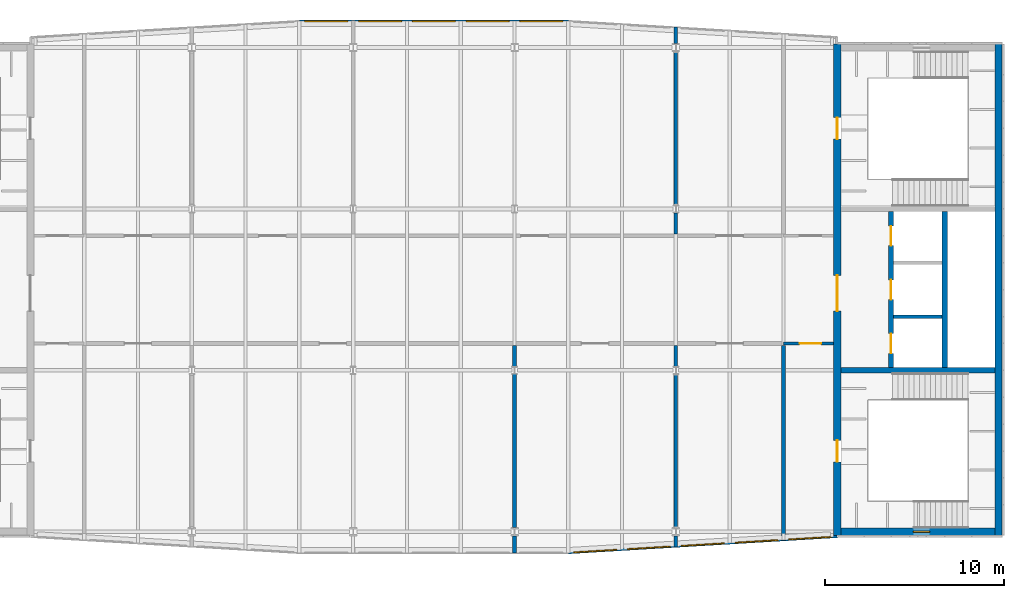
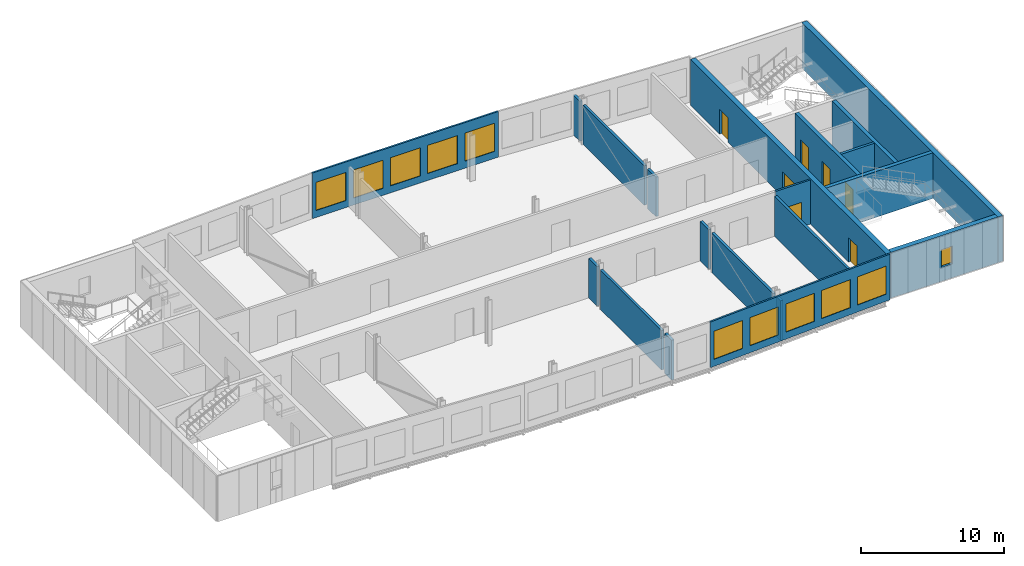
# One storey, part 5 of 9: 20 walls, 11 windows, 7 doors, 18 openings.
"""IFC4 building model written with IfcOpenShell, lengths in metres."""

from ifc_helpers import new_model, si_unit, direction, frame, frame_2d, origin, place, context, subcontext, project, spatial, rectangle, extrude, material, layer, layer_set, type_object, element, fill, save


model = new_model("IFC4")

# Units and contexts
model_context = context("Model", 3, precision=1e-05, world=origin(), true_north=direction((0.0, 1.0)))
body_context = subcontext(model_context, "Body", "Model", "MODEL_VIEW")
ifc_project = project(units=[si_unit("LENGTHUNIT", "METRE"), si_unit("AREAUNIT", "SQUARE_METRE"), si_unit("VOLUMEUNIT", "CUBIC_METRE"), si_unit("PLANEANGLEUNIT", "RADIAN"), si_unit("MASSUNIT", "GRAM", prefix="KILO")], contexts=[model_context])

# Site, building, storey
site_placement = place(None, origin())
site = spatial("IfcSite", under=ifc_project, at=site_placement, CompositionType="ELEMENT")
building_placement = place(site_placement, origin())
building = spatial("IfcBuilding", under=site, at=building_placement, Name="Azimuth Sports and Learning Centre", CompositionType="ELEMENT")
storey_placement = place(building_placement, frame((0.0, 0.0, 51.89990234375)))
storey = spatial("IfcBuildingStorey", under=building, at=storey_placement, Name="L11", CompositionType="ELEMENT", Elevation=51.89990234375)

# Wall
ifc_material_1 = material(Name="Dense masonry blockwork", Category="masonry")
ifc_layer_1 = layer(ifc_material_1, 0.199951171875)
ifc_layer_set_1 = layer_set([ifc_layer_1], Name="Dense masonry blockwork")
wall_type_1 = type_object("IfcWallType", Name="Blockwork wall 200 EI 120", PredefinedType="SOLIDWALL", material=ifc_layer_set_1)
wall_1_placement = place(storey_placement, frame((111.14990234375, 102.0, 0.0), z_axis=(0.0, 0.0, 1.0), x_axis=(1.0, 0.0, 0.0)))
element("IfcWall", 1, at=wall_1_placement, inside=storey, type_object=wall_type_1, Name="SD-E-1-L11", PredefinedType="SOLIDWALL", context=body_context, shape_type="SweptSolid", body=[
    extrude(rectangle(XDim=2.7001953125, YDim=0.199951171875, at=frame_2d((1.35009765625, 0.0))), origin(), (0.0, 0.0, 1.0), 3.900146484375),
])

# Wall, opening, door
ifc_material_2 = material(Name="Lightweight blockwork, rendered", Category="masonry")
ifc_layer_2 = layer(ifc_material_2, 0.14990234375)
ifc_layer_set_2 = layer_set([ifc_layer_2], Name="Lightweight blockwork, rendered")
wall_type_2 = type_object("IfcWallType", Name="Partition 150 EI 60", PredefinedType="PARTITIONING", material=ifc_layer_set_2)
wall_2_placement = place(storey_placement, frame((105.0, 100.5, 0.0), z_axis=(0.0, 0.0, 1.0), x_axis=(1.0, 0.0, 0.0)))
wall_2 = element("IfcWall", 2, at=wall_2_placement, inside=storey, type_object=wall_type_2, Name="Partition Stair Lobby E1 11.03 / Plant Corridor", PredefinedType="PARTITIONING", context=body_context, shape_type="SweptSolid", body=[
    extrude(rectangle(XDim=2.800048828125, YDim=0.14990234375, at=frame_2d((1.39990234375, 0.0))), origin(), (0.0, 0.0, 1.0), 3.77001953125),
])
opening_1_placement = place(wall_2_placement, frame((0.89990234375, 0.0, 0.0)))
opening_1 = element("IfcOpeningElement", 3, at=opening_1_placement, cuts=wall_2, Name="Opening D11-013", PredefinedType="OPENING", context=body_context, shape_type="SweptSolid", body=[
    extrude(rectangle(XDim=1.199951171875, YDim=2.10009765625, at=frame_2d((0.60009765625, 1.050048828125))), frame((0.0, 0.0859375, 0.0), z_axis=(0.0, -1.0, 0.0), x_axis=(1.0, 0.0, 0.0)), (0.0, 0.0, 1.0), 0.171875),
])
ifc_material_3 = material(Name="Painted steel door set", Category="steel")
door_type_1 = type_object("IfcDoorType", Name="Fire door FD60 1200 x 2100", OperationType="NOTDEFINED", PredefinedType="DOOR", material=ifc_material_3)
door_1_placement = place(opening_1_placement, frame((1.199951171875, 0.0, 0.0), z_axis=(0.0, 0.0, 1.0), x_axis=(-1.0, 0.0, 0.0)))
door_1 = element("IfcDoor", 4, at=door_1_placement, inside=storey, type_object=door_type_1, Name="Door Stair Lobby E1 11.03 / Plant Corridor", OperationType="SINGLE_SWING_LEFT", OverallHeight=2.10009765625, OverallWidth=1.199951171875, PredefinedType="DOOR", context=body_context, shape_type="SweptSolid", body=[
    extrude(rectangle(XDim=1.199951171875, YDim=2.10009765625, at=frame_2d((0.60009765625, 1.050048828125))), frame((0.0, 0.02490234375, 0.0), z_axis=(0.0, -1.0, 0.0), x_axis=(1.0, 0.0, 0.0)), (0.0, 0.0, 1.0), 0.050048828125),
])
fill(opening_1, door_1)

# Walls
ifc_material_4 = material(Name="Lightweight blockwork, rendered", Category="masonry")
ifc_layer_3 = layer(ifc_material_4, 0.199951171875)
ifc_layer_set_3 = layer_set([ifc_layer_3], Name="Lightweight blockwork, rendered")
wall_type_3 = type_object("IfcWallType", Name="Partition 200 EI 120", PredefinedType="PARTITIONING", material=ifc_layer_set_3)
wall_3_placement = place(storey_placement, frame((90.0, 88.800048828125, 0.0), z_axis=(0.0, 0.0, 1.0), x_axis=(0.0, 1.0, 0.0)))
element("IfcWall", 5, at=wall_3_placement, inside=storey, type_object=wall_type_3, Name="Partition Air Handling Plant Room 11.08 / Fire Protection Pump Room 11.09", PredefinedType="PARTITIONING", context=body_context, shape_type="SweptSolid", body=[
    extrude(rectangle(XDim=0.972412109375, YDim=0.199951171875, at=frame_2d((0.486328125, 0.0))), origin(), (0.0, 0.0, 1.0), 3.41015625),
])
wall_4_placement = place(storey_placement, frame((90.0, 90.2275390625, 0.0), z_axis=(0.0, 0.0, 1.0), x_axis=(0.0, 1.0, 0.0)))
element("IfcWall", 6, at=wall_4_placement, inside=storey, type_object=wall_type_3, Name="Partition Air Handling Plant Room 11.08 / Fire Protection Pump Room 11.09", PredefinedType="PARTITIONING", context=body_context, shape_type="SweptSolid", body=[
    extrude(rectangle(XDim=8.556396484375, YDim=0.199951171875, at=frame_2d((4.2783203125, 0.0))), origin(), (0.0, 0.0, 1.0), 3.3701171875),
])
wall_5_placement = place(storey_placement, frame((90.0, 99.216064453125, 0.0), z_axis=(0.0, 0.0, 1.0), x_axis=(0.0, 1.0, 0.0)))
element("IfcWall", 7, at=wall_5_placement, inside=storey, type_object=wall_type_3, Name="Partition Air Handling Plant Room 11.08 / Fire Protection Pump Room 11.09", PredefinedType="PARTITIONING", context=body_context, shape_type="SweptSolid", body=[
    extrude(rectangle(XDim=1.183837890625, YDim=0.199951171875, at=frame_2d((0.591796875, 0.0))), origin(), (0.0, 0.0, 1.0), 3.3701171875),
])
wall_6_placement = place(storey_placement, frame((99.0, 89.159912109375, 0.0), z_axis=(0.0, 0.0, 1.0), x_axis=(0.0, 1.0, 0.0)))
element("IfcWall", 8, at=wall_6_placement, inside=storey, type_object=wall_type_3, Name="Partition Fire Protection Pump Room 11.09 / Communications Room 11.10", PredefinedType="PARTITIONING", context=body_context, shape_type="SweptSolid", body=[
    extrude(rectangle(XDim=0.612548828125, YDim=0.199951171875, at=frame_2d((0.30615234375, 0.0))), origin(), (0.0, 0.0, 1.0), 3.41015625),
])
wall_7_placement = place(storey_placement, frame((99.0, 90.2275390625, 0.0), z_axis=(0.0, 0.0, 1.0), x_axis=(0.0, 1.0, 0.0)))
element("IfcWall", 9, at=wall_7_placement, inside=storey, type_object=wall_type_3, Name="Partition Fire Protection Pump Room 11.09 / Communications Room 11.10", PredefinedType="PARTITIONING", context=body_context, shape_type="SweptSolid", body=[
    extrude(rectangle(XDim=8.556396484375, YDim=0.199951171875, at=frame_2d((4.2783203125, 0.0))), origin(), (0.0, 0.0, 1.0), 3.3701171875),
])
for number, where, z_axis, x_axis, name in (
    (10, (99.0, 99.216064453125, 0.0), (0.0, 0.0, 1.0), (0.0, 1.0, 0.0), "Partition Fire Protection Pump Room 11.09 / Communications Room 11.10"),
    (11, (99.0, 106.60009765625, 0.0), (0.0, 0.0, 1.0), (0.0, 1.0, 0.0), "Partition Air Handling Plant Room 11.13 / Battery and UPS Room 11.14"),
):
    element("IfcWall", number, at=place(storey_placement, frame(where, z_axis=z_axis, x_axis=x_axis)), inside=storey, type_object=wall_type_3, Name=name, PredefinedType="PARTITIONING", context=body_context, shape_type="SweptSolid", body=[
        extrude(rectangle(XDim=1.183837890625, YDim=0.199951171875, at=frame_2d((0.591796875, 0.0))), origin(), (0.0, 0.0, 1.0), 3.3701171875),
    ])
wall_8_placement = place(storey_placement, frame((99.0, 108.216064453125, 0.0), z_axis=(0.0, 0.0, 1.0), x_axis=(0.0, 1.0, 0.0)))
element("IfcWall", 12, at=wall_8_placement, inside=storey, type_object=wall_type_3, Name="Partition Air Handling Plant Room 11.13 / Battery and UPS Room 11.14", PredefinedType="PARTITIONING", context=body_context, shape_type="SweptSolid", body=[
    extrude(rectangle(XDim=8.556396484375, YDim=0.199951171875, at=frame_2d((4.2783203125, 0.0))), origin(), (0.0, 0.0, 1.0), 3.3701171875),
])
wall_9_placement = place(storey_placement, frame((99.0, 117.2275390625, 0.0), z_axis=(0.0, 0.0, 1.0), x_axis=(0.0, 1.0, 0.0)))
element("IfcWall", 13, at=wall_9_placement, inside=storey, type_object=wall_type_3, Name="Partition Air Handling Plant Room 11.13 / Battery and UPS Room 11.14", PredefinedType="PARTITIONING", context=body_context, shape_type="SweptSolid", body=[
    extrude(rectangle(XDim=0.912353515625, YDim=0.199951171875, at=frame_2d((0.4560546875, 0.0))), origin(), (0.0, 0.0, 1.0), 3.41015625),
])
wall_10_placement = place(storey_placement, frame((105.0, 89.52001953125, 0.0), z_axis=(0.0, 0.0, 1.0), x_axis=(0.0, 1.0, 0.0)))
element("IfcWall", 14, at=wall_10_placement, inside=storey, type_object=wall_type_3, Name="Partition Stair Lobby E1 11.03 / Communications Room 11.10", PredefinedType="PARTITIONING", context=body_context, shape_type="SweptSolid", body=[
    extrude(rectangle(XDim=10.8798828125, YDim=0.199951171875, at=frame_2d((5.43994140625, 0.0))), origin(), (0.0, 0.0, 1.0), 3.41015625),
])

# Wall, openings, windows
ifc_material_5 = material(Name="Aluminium rainscreen cladding, mineral wool insulation, steel stud backing, plasterboard", Category="steel")
ifc_layer_4 = layer(ifc_material_5, 0.139892578125)
ifc_layer_set_4 = layer_set([ifc_layer_4], Name="Aluminium rainscreen cladding, mineral wool insulation, steel stud backing, plasterboard")
wall_type_4 = type_object("IfcWallType", Name="Plant band wall 140", PredefinedType="SOLIDWALL", material=ifc_layer_set_4)
wall_11_placement = place(storey_placement, frame((93.0, 88.830078125, 0.0), z_axis=(0.0, 0.0, 1.0), x_axis=(0.998204826037, 0.059892614536, 0.0)))
wall_11 = element("IfcWall", 15, at=wall_11_placement, inside=storey, type_object=wall_type_4, Name="Plant band wall S-TOWER-3 L11", PredefinedType="SOLIDWALL", context=body_context, shape_type="SweptSolid", body=[
    extrude(rectangle(XDim=15.025146484375, YDim=0.139892578125, at=frame_2d((7.5126953125, 0.0))), origin(), (0.0, 0.0, 1.0), 3.900146484375),
])
opening_2_placement = place(wall_11_placement, frame((0.30078125, 0.0, 0.60009765625)))
opening_2 = element("IfcOpeningElement", 16, at=opening_2_placement, cuts=wall_11, Name="Opening W11-012", PredefinedType="OPENING", context=body_context, shape_type="SweptSolid", body=[
    extrude(rectangle(XDim=2.39990234375, YDim=2.39990234375, at=frame_2d((1.199951171875, 1.199951171875))), frame((0.0, 0.0810546875, 0.0), z_axis=(0.0, -1.0, 0.0), x_axis=(1.0, 0.0, 0.0)), (0.0, 0.0, 1.0), 0.161865234375),
])
opening_3_placement = place(wall_11_placement, frame((3.306396484375, 0.0, 0.60009765625)))
opening_3 = element("IfcOpeningElement", 17, at=opening_3_placement, cuts=wall_11, Name="Opening W11-013", PredefinedType="OPENING", context=body_context, shape_type="SweptSolid", body=[
    extrude(rectangle(XDim=2.39990234375, YDim=2.39990234375, at=frame_2d((1.199951171875, 1.199951171875))), frame((0.0, 0.0810546875, 0.0), z_axis=(0.0, -1.0, 0.0), x_axis=(1.0, 0.0, 0.0)), (0.0, 0.0, 1.0), 0.161865234375),
])
opening_4_placement = place(wall_11_placement, frame((6.311767578125, 0.0, 0.60009765625)))
opening_4 = element("IfcOpeningElement", 18, at=opening_4_placement, cuts=wall_11, Name="Opening W11-014", PredefinedType="OPENING", context=body_context, shape_type="SweptSolid", body=[
    extrude(rectangle(XDim=2.39990234375, YDim=2.39990234375, at=frame_2d((1.199951171875, 1.199951171875))), frame((0.0, 0.0810546875, 0.0), z_axis=(0.0, -1.0, 0.0), x_axis=(1.0, 0.0, 0.0)), (0.0, 0.0, 1.0), 0.161865234375),
])
opening_5_placement = place(wall_11_placement, frame((9.317138671875, 0.0, 0.60009765625)))
opening_5 = element("IfcOpeningElement", 19, at=opening_5_placement, cuts=wall_11, Name="Opening W11-015", PredefinedType="OPENING", context=body_context, shape_type="SweptSolid", body=[
    extrude(rectangle(XDim=2.39990234375, YDim=2.39990234375, at=frame_2d((1.199951171875, 1.199951171875))), frame((0.0, 0.0810546875, 0.0), z_axis=(0.0, -1.0, 0.0), x_axis=(1.0, 0.0, 0.0)), (0.0, 0.0, 1.0), 0.161865234375),
])
opening_6_placement = place(wall_11_placement, frame((12.322509765625, 0.0, 0.60009765625)))
opening_6 = element("IfcOpeningElement", 20, at=opening_6_placement, cuts=wall_11, Name="Opening W11-016", PredefinedType="OPENING", context=body_context, shape_type="SweptSolid", body=[
    extrude(rectangle(XDim=2.39990234375, YDim=2.39990234375, at=frame_2d((1.199951171875, 1.199951171875))), frame((0.0, 0.0810546875, 0.0), z_axis=(0.0, -1.0, 0.0), x_axis=(1.0, 0.0, 0.0)), (0.0, 0.0, 1.0), 0.161865234375),
])
ifc_material_6 = material(Name="Aluminium and glass", Category="aluminium")
window_type_1 = type_object("IfcWindowType", Name="Plant band louvre window 2400x2400", PartitioningType="SINGLE_PANEL", PredefinedType="WINDOW", material=ifc_material_6)
window_1_placement = place(opening_2_placement, origin())
window_1 = element("IfcWindow", 21, at=window_1_placement, inside=storey, type_object=window_type_1, Name="Window W11-012", OverallHeight=2.39990234375, OverallWidth=2.39990234375, PartitioningType="SINGLE_PANEL", PredefinedType="WINDOW", context=body_context, shape_type="SweptSolid", body=[
    extrude(rectangle(XDim=2.39990234375, YDim=2.39990234375, at=frame_2d((1.199951171875, 1.199951171875))), frame((0.0, 0.030029296875, 0.0), z_axis=(0.0, -1.0, 0.0), x_axis=(1.0, 0.0, 0.0)), (0.0, 0.0, 1.0), 0.06005859375),
])
fill(opening_2, window_1)
window_2_placement = place(opening_3_placement, origin())
window_2 = element("IfcWindow", 22, at=window_2_placement, inside=storey, type_object=window_type_1, Name="Window W11-013", OverallHeight=2.39990234375, OverallWidth=2.39990234375, PartitioningType="SINGLE_PANEL", PredefinedType="WINDOW", context=body_context, shape_type="SweptSolid", body=[
    extrude(rectangle(XDim=2.39990234375, YDim=2.39990234375, at=frame_2d((1.199951171875, 1.199951171875))), frame((0.0, 0.030029296875, 0.0), z_axis=(0.0, -1.0, 0.0), x_axis=(1.0, 0.0, 0.0)), (0.0, 0.0, 1.0), 0.06005859375),
])
fill(opening_3, window_2)
window_3_placement = place(opening_4_placement, origin())
window_3 = element("IfcWindow", 23, at=window_3_placement, inside=storey, type_object=window_type_1, Name="Window W11-014", OverallHeight=2.39990234375, OverallWidth=2.39990234375, PartitioningType="SINGLE_PANEL", PredefinedType="WINDOW", context=body_context, shape_type="SweptSolid", body=[
    extrude(rectangle(XDim=2.39990234375, YDim=2.39990234375, at=frame_2d((1.199951171875, 1.199951171875))), frame((0.0, 0.030029296875, 0.0), z_axis=(0.0, -1.0, 0.0), x_axis=(1.0, 0.0, 0.0)), (0.0, 0.0, 1.0), 0.06005859375),
])
fill(opening_4, window_3)
window_4_placement = place(opening_5_placement, origin())
window_4 = element("IfcWindow", 24, at=window_4_placement, inside=storey, type_object=window_type_1, Name="Window W11-015", OverallHeight=2.39990234375, OverallWidth=2.39990234375, PartitioningType="SINGLE_PANEL", PredefinedType="WINDOW", context=body_context, shape_type="SweptSolid", body=[
    extrude(rectangle(XDim=2.39990234375, YDim=2.39990234375, at=frame_2d((1.199951171875, 1.199951171875))), frame((0.0, 0.030029296875, 0.0), z_axis=(0.0, -1.0, 0.0), x_axis=(1.0, 0.0, 0.0)), (0.0, 0.0, 1.0), 0.06005859375),
])
fill(opening_5, window_4)
window_5_placement = place(opening_6_placement, origin())
window_5 = element("IfcWindow", 25, at=window_5_placement, inside=storey, type_object=window_type_1, Name="Window W11-016", OverallHeight=2.39990234375, OverallWidth=2.39990234375, PartitioningType="SINGLE_PANEL", PredefinedType="WINDOW", context=body_context, shape_type="SweptSolid", body=[
    extrude(rectangle(XDim=2.39990234375, YDim=2.39990234375, at=frame_2d((1.199951171875, 1.199951171875))), frame((0.0, 0.030029296875, 0.0), z_axis=(0.0, -1.0, 0.0), x_axis=(1.0, 0.0, 0.0)), (0.0, 0.0, 1.0), 0.06005859375),
])
fill(opening_6, window_5)

wall_12_placement = place(storey_placement, frame((92.998291015625, 118.469970703125, 0.0), z_axis=(0.0, 0.0, 1.0), x_axis=(-1.0, 0.0, 0.0)))
wall_12 = element("IfcWall", 26, at=wall_12_placement, inside=storey, type_object=wall_type_4, Name="Plant band wall N-TOWER-2 L11", PredefinedType="SOLIDWALL", context=body_context, shape_type="SweptSolid", body=[
    extrude(rectangle(XDim=14.998291015625, YDim=0.139892578125, at=frame_2d((7.4990234375, 0.0))), origin(), (0.0, 0.0, 1.0), 3.900146484375),
])
opening_7_placement = place(wall_12_placement, frame((0.298095703125, 0.0, 0.60009765625)))
opening_7 = element("IfcOpeningElement", 27, at=opening_7_placement, cuts=wall_12, Name="Opening W11-024", PredefinedType="OPENING", context=body_context, shape_type="SweptSolid", body=[
    extrude(rectangle(XDim=2.39990234375, YDim=2.39990234375, at=frame_2d((1.199951171875, 1.199951171875))), frame((0.0, 0.0810546875, 0.0), z_axis=(0.0, -1.0, 0.0), x_axis=(1.0, 0.0, 0.0)), (0.0, 0.0, 1.0), 0.161865234375),
])
opening_8_placement = place(wall_12_placement, frame((3.298095703125, 0.0, 0.60009765625)))
opening_8 = element("IfcOpeningElement", 28, at=opening_8_placement, cuts=wall_12, Name="Opening W11-025", PredefinedType="OPENING", context=body_context, shape_type="SweptSolid", body=[
    extrude(rectangle(XDim=2.39990234375, YDim=2.39990234375, at=frame_2d((1.199951171875, 1.199951171875))), frame((0.0, 0.0810546875, 0.0), z_axis=(0.0, -1.0, 0.0), x_axis=(1.0, 0.0, 0.0)), (0.0, 0.0, 1.0), 0.161865234375),
])
opening_9_placement = place(wall_12_placement, frame((6.298095703125, 0.0, 0.60009765625)))
opening_9 = element("IfcOpeningElement", 29, at=opening_9_placement, cuts=wall_12, Name="Opening W11-026", PredefinedType="OPENING", context=body_context, shape_type="SweptSolid", body=[
    extrude(rectangle(XDim=2.39990234375, YDim=2.39990234375, at=frame_2d((1.199951171875, 1.199951171875))), frame((0.0, 0.0810546875, 0.0), z_axis=(0.0, -1.0, 0.0), x_axis=(1.0, 0.0, 0.0)), (0.0, 0.0, 1.0), 0.161865234375),
])
opening_10_placement = place(wall_12_placement, frame((9.298095703125, 0.0, 0.60009765625)))
opening_10 = element("IfcOpeningElement", 30, at=opening_10_placement, cuts=wall_12, Name="Opening W11-027", PredefinedType="OPENING", context=body_context, shape_type="SweptSolid", body=[
    extrude(rectangle(XDim=2.39990234375, YDim=2.39990234375, at=frame_2d((1.199951171875, 1.199951171875))), frame((0.0, 0.0810546875, 0.0), z_axis=(0.0, -1.0, 0.0), x_axis=(1.0, 0.0, 0.0)), (0.0, 0.0, 1.0), 0.161865234375),
])
opening_11_placement = place(wall_12_placement, frame((12.298095703125, 0.0, 0.60009765625)))
opening_11 = element("IfcOpeningElement", 31, at=opening_11_placement, cuts=wall_12, Name="Opening W11-028", PredefinedType="OPENING", context=body_context, shape_type="SweptSolid", body=[
    extrude(rectangle(XDim=2.39990234375, YDim=2.39990234375, at=frame_2d((1.199951171875, 1.199951171875))), frame((0.0, 0.0810546875, 0.0), z_axis=(0.0, -1.0, 0.0), x_axis=(1.0, 0.0, 0.0)), (0.0, 0.0, 1.0), 0.161865234375),
])
window_6_placement = place(opening_7_placement, origin())
window_6 = element("IfcWindow", 32, at=window_6_placement, inside=storey, type_object=window_type_1, Name="Window W11-024", OverallHeight=2.39990234375, OverallWidth=2.39990234375, PartitioningType="SINGLE_PANEL", PredefinedType="WINDOW", context=body_context, shape_type="SweptSolid", body=[
    extrude(rectangle(XDim=2.39990234375, YDim=2.39990234375, at=frame_2d((1.199951171875, 1.199951171875))), frame((0.0, 0.030029296875, 0.0), z_axis=(0.0, -1.0, 0.0), x_axis=(1.0, 0.0, 0.0)), (0.0, 0.0, 1.0), 0.06005859375),
])
fill(opening_7, window_6)
window_7_placement = place(opening_8_placement, origin())
window_7 = element("IfcWindow", 33, at=window_7_placement, inside=storey, type_object=window_type_1, Name="Window W11-025", OverallHeight=2.39990234375, OverallWidth=2.39990234375, PartitioningType="SINGLE_PANEL", PredefinedType="WINDOW", context=body_context, shape_type="SweptSolid", body=[
    extrude(rectangle(XDim=2.39990234375, YDim=2.39990234375, at=frame_2d((1.199951171875, 1.199951171875))), frame((0.0, 0.030029296875, 0.0), z_axis=(0.0, -1.0, 0.0), x_axis=(1.0, 0.0, 0.0)), (0.0, 0.0, 1.0), 0.06005859375),
])
fill(opening_8, window_7)
window_8_placement = place(opening_9_placement, origin())
window_8 = element("IfcWindow", 34, at=window_8_placement, inside=storey, type_object=window_type_1, Name="Window W11-026", OverallHeight=2.39990234375, OverallWidth=2.39990234375, PartitioningType="SINGLE_PANEL", PredefinedType="WINDOW", context=body_context, shape_type="SweptSolid", body=[
    extrude(rectangle(XDim=2.39990234375, YDim=2.39990234375, at=frame_2d((1.199951171875, 1.199951171875))), frame((0.0, 0.030029296875, 0.0), z_axis=(0.0, -1.0, 0.0), x_axis=(1.0, 0.0, 0.0)), (0.0, 0.0, 1.0), 0.06005859375),
])
fill(opening_9, window_8)
window_9_placement = place(opening_10_placement, origin())
window_9 = element("IfcWindow", 35, at=window_9_placement, inside=storey, type_object=window_type_1, Name="Window W11-027", OverallHeight=2.39990234375, OverallWidth=2.39990234375, PartitioningType="SINGLE_PANEL", PredefinedType="WINDOW", context=body_context, shape_type="SweptSolid", body=[
    extrude(rectangle(XDim=2.39990234375, YDim=2.39990234375, at=frame_2d((1.199951171875, 1.199951171875))), frame((0.0, 0.030029296875, 0.0), z_axis=(0.0, -1.0, 0.0), x_axis=(1.0, 0.0, 0.0)), (0.0, 0.0, 1.0), 0.06005859375),
])
fill(opening_10, window_9)
window_10_placement = place(opening_11_placement, origin())
window_10 = element("IfcWindow", 36, at=window_10_placement, inside=storey, type_object=window_type_1, Name="Window W11-028", OverallHeight=2.39990234375, OverallWidth=2.39990234375, PartitioningType="SINGLE_PANEL", PredefinedType="WINDOW", context=body_context, shape_type="SweptSolid", body=[
    extrude(rectangle(XDim=2.39990234375, YDim=2.39990234375, at=frame_2d((1.199951171875, 1.199951171875))), frame((0.0, 0.030029296875, 0.0), z_axis=(0.0, -1.0, 0.0), x_axis=(1.0, 0.0, 0.0)), (0.0, 0.0, 1.0), 0.06005859375),
])
fill(opening_11, window_10)

# Wall
ifc_material_7 = material(Name="Concrete C40/50", Category="concrete")
ifc_layer_5 = layer(ifc_material_7, 0.300048828125)
ifc_layer_set_5 = layer_set([ifc_layer_5], Name="Concrete C40/50")
wall_type_5 = type_object("IfcWallType", Name="RC core wall 300", PredefinedType="SHEAR", material=ifc_layer_set_5)
wall_13_placement = place(storey_placement, frame((108.199951171875, 99.0, 0.0), z_axis=(0.0, 0.0, 1.0), x_axis=(1.0, 0.0, 0.0)))
element("IfcWall", 37, at=wall_13_placement, inside=storey, type_object=wall_type_5, Name="Core wall E D1 L11", PredefinedType="SHEAR", context=body_context, shape_type="SweptSolid", body=[
    extrude(rectangle(XDim=8.60009765625, YDim=0.300048828125, at=frame_2d((4.300048828125, 0.0))), origin(), (0.0, 0.0, 1.0), 3.900146484375),
])

# Wall, openings, doors
wall_14_placement = place(storey_placement, frame((111.0, 99.14990234375, 0.0), z_axis=(0.0, 0.0, 1.0), x_axis=(0.0, 1.0, 0.0)))
wall_14 = element("IfcWall", 38, at=wall_14_placement, inside=storey, type_object=wall_type_5, Name="Core wall E LB1 L11", PredefinedType="SHEAR", context=body_context, shape_type="SweptSolid", body=[
    extrude(rectangle(XDim=8.7001953125, YDim=0.300048828125, at=frame_2d((4.35009765625, 0.0))), origin(), (0.0, 0.0, 1.0), 3.900146484375),
])
opening_12_placement = place(wall_14_placement, frame((0.800048828125, 0.0, 0.0)))
opening_12 = element("IfcOpeningElement", 39, at=opening_12_placement, cuts=wall_14, Name="Opening D11-008", PredefinedType="OPENING", context=body_context, shape_type="SweptSolid", body=[
    extrude(rectangle(XDim=1.10009765625, YDim=2.10009765625, at=frame_2d((0.550048828125, 1.050048828125))), frame((0.0, 0.1611328125, 0.0), z_axis=(0.0, -1.0, 0.0), x_axis=(1.0, 0.0, 0.0)), (0.0, 0.0, 1.0), 0.322021484375),
])
opening_13_placement = place(wall_14_placement, frame((3.800048828125, 0.0, 0.0)))
opening_13 = element("IfcOpeningElement", 40, at=opening_13_placement, cuts=wall_14, Name="Opening D11-009", PredefinedType="OPENING", context=body_context, shape_type="SweptSolid", body=[
    extrude(rectangle(XDim=1.10009765625, YDim=2.10009765625, at=frame_2d((0.550048828125, 1.050048828125))), frame((0.0, 0.1611328125, 0.0), z_axis=(0.0, -1.0, 0.0), x_axis=(1.0, 0.0, 0.0)), (0.0, 0.0, 1.0), 0.322021484375),
])
opening_14_placement = place(wall_14_placement, frame((6.800048828125, 0.0, 0.0)))
opening_14 = element("IfcOpeningElement", 41, at=opening_14_placement, cuts=wall_14, Name="Opening D11-010", PredefinedType="OPENING", context=body_context, shape_type="SweptSolid", body=[
    extrude(rectangle(XDim=1.10009765625, YDim=2.10009765625, at=frame_2d((0.550048828125, 1.050048828125))), frame((0.0, 0.1611328125, 0.0), z_axis=(0.0, -1.0, 0.0), x_axis=(1.0, 0.0, 0.0)), (0.0, 0.0, 1.0), 0.322021484375),
])
ifc_material_8 = material(Name="Stainless steel", Category="steel")
door_type_2 = type_object("IfcDoorType", Name="Lift landing door 1100 x 2100", OperationType="DOUBLE_DOOR_SLIDING", PredefinedType="DOOR", material=ifc_material_8)
door_2_placement = place(opening_12_placement, origin())
door_2 = element("IfcDoor", 42, at=door_2_placement, inside=storey, type_object=door_type_2, Name="Landing door LE1 L11", OperationType="DOUBLE_DOOR_SLIDING", OverallHeight=2.10009765625, OverallWidth=1.10009765625, PredefinedType="DOOR", context=body_context, shape_type="SweptSolid", body=[
    extrude(rectangle(XDim=1.10009765625, YDim=2.10009765625, at=frame_2d((0.550048828125, 1.050048828125))), frame((0.0, 0.02490234375, 0.0), z_axis=(0.0, -1.0, 0.0), x_axis=(1.0, 0.0, 0.0)), (0.0, 0.0, 1.0), 0.050048828125),
])
fill(opening_12, door_2)
door_3_placement = place(opening_13_placement, origin())
door_3 = element("IfcDoor", 43, at=door_3_placement, inside=storey, type_object=door_type_2, Name="Landing door LE2 L11", OperationType="DOUBLE_DOOR_SLIDING", OverallHeight=2.10009765625, OverallWidth=1.10009765625, PredefinedType="DOOR", context=body_context, shape_type="SweptSolid", body=[
    extrude(rectangle(XDim=1.10009765625, YDim=2.10009765625, at=frame_2d((0.550048828125, 1.050048828125))), frame((0.0, 0.02490234375, 0.0), z_axis=(0.0, -1.0, 0.0), x_axis=(1.0, 0.0, 0.0)), (0.0, 0.0, 1.0), 0.050048828125),
])
fill(opening_13, door_3)
door_4_placement = place(opening_14_placement, origin())
door_4 = element("IfcDoor", 44, at=door_4_placement, inside=storey, type_object=door_type_2, Name="Landing door LE3 L11", OperationType="DOUBLE_DOOR_SLIDING", OverallHeight=2.10009765625, OverallWidth=1.10009765625, PredefinedType="DOOR", context=body_context, shape_type="SweptSolid", body=[
    extrude(rectangle(XDim=1.10009765625, YDim=2.10009765625, at=frame_2d((0.550048828125, 1.050048828125))), frame((0.0, 0.02490234375, 0.0), z_axis=(0.0, -1.0, 0.0), x_axis=(1.0, 0.0, 0.0)), (0.0, 0.0, 1.0), 0.050048828125),
])
fill(opening_14, door_4)

# Wall
wall_15_placement = place(storey_placement, frame((114.0, 99.14990234375, 0.0), z_axis=(0.0, 0.0, 1.0), x_axis=(0.0, 1.0, 0.0)))
element("IfcWall", 45, at=wall_15_placement, inside=storey, type_object=wall_type_5, Name="Core wall E LB2 L11", PredefinedType="SHEAR", context=body_context, shape_type="SweptSolid", body=[
    extrude(rectangle(XDim=8.7001953125, YDim=0.300048828125, at=frame_2d((4.35009765625, 0.0))), origin(), (0.0, 0.0, 1.0), 3.900146484375),
])

# Wall, openings, doors
ifc_material_9 = material(Name="Concrete C40/50", Category="concrete")
ifc_layer_6 = layer(ifc_material_9, 0.39990234375)
ifc_layer_set_6 = layer_set([ifc_layer_6], Name="Concrete C40/50")
wall_type_6 = type_object("IfcWallType", Name="RC core wall 400", PredefinedType="SHEAR", material=ifc_layer_set_6)
wall_16_placement = place(storey_placement, frame((108.0, 89.800048828125, 0.0), z_axis=(0.0, 0.0, 1.0), x_axis=(0.0, 1.0, 0.0)))
wall_16 = element("IfcWall", 46, at=wall_16_placement, inside=storey, type_object=wall_type_6, Name="Core wall E W L11", PredefinedType="SHEAR", context=body_context, shape_type="SweptSolid", body=[
    extrude(rectangle(XDim=27.39990234375, YDim=0.39990234375, at=frame_2d((13.699951171875, 0.0))), origin(), (0.0, 0.0, 1.0), 3.900146484375),
])
opening_15_placement = place(wall_16_placement, frame((4.10009765625, 0.0, 0.0)))
opening_15 = element("IfcOpeningElement", 47, at=opening_15_placement, cuts=wall_16, Name="Opening D11-003", PredefinedType="OPENING", context=body_context, shape_type="SweptSolid", body=[
    extrude(rectangle(XDim=1.199951171875, YDim=2.10009765625, at=frame_2d((0.60009765625, 1.050048828125))), frame((0.0, 0.2109375, 0.0), z_axis=(0.0, -1.0, 0.0), x_axis=(1.0, 0.0, 0.0)), (0.0, 0.0, 1.0), 0.421875),
])
opening_16_placement = place(wall_16_placement, frame((22.10009765625, 0.0, 0.0)))
opening_16 = element("IfcOpeningElement", 48, at=opening_16_placement, cuts=wall_16, Name="Opening D11-004", PredefinedType="OPENING", context=body_context, shape_type="SweptSolid", body=[
    extrude(rectangle(XDim=1.199951171875, YDim=2.10009765625, at=frame_2d((0.60009765625, 1.050048828125))), frame((0.0, 0.2109375, 0.0), z_axis=(0.0, -1.0, 0.0), x_axis=(1.0, 0.0, 0.0)), (0.0, 0.0, 1.0), 0.421875),
])
opening_17_placement = place(wall_16_placement, frame((12.5, 0.0, 0.0)))
opening_17 = element("IfcOpeningElement", 49, at=opening_17_placement, cuts=wall_16, Name="Opening D11-024", PredefinedType="OPENING", context=body_context, shape_type="SweptSolid", body=[
    extrude(rectangle(XDim=2.0, YDim=2.10009765625, at=frame_2d((1.0, 1.050048828125))), frame((0.0, 0.2109375, 0.0), z_axis=(0.0, -1.0, 0.0), x_axis=(1.0, 0.0, 0.0)), (0.0, 0.0, 1.0), 0.421875),
])
ifc_material_10 = material(Name="Painted steel door set", Category="steel")
door_type_3 = type_object("IfcDoorType", Name="Fire door FD120 2000 x 2100 double leaf", OperationType="DOUBLE_DOOR_SINGLE_SWING", PredefinedType="DOOR", material=ifc_material_10)
door_5_placement = place(opening_17_placement, frame((2.0, 0.0, 0.0), z_axis=(0.0, 0.0, 1.0), x_axis=(-1.0, 0.0, 0.0)))
door_5 = element("IfcDoor", 50, at=door_5_placement, inside=storey, type_object=door_type_3, Name="Door Lift Lobby E 11.06 / Plant Corridor", OperationType="DOUBLE_DOOR_SINGLE_SWING", OverallHeight=2.10009765625, OverallWidth=2.0, PredefinedType="DOOR", context=body_context, shape_type="SweptSolid", body=[
    extrude(rectangle(XDim=2.0, YDim=2.10009765625, at=frame_2d((1.0, 1.050048828125))), frame((0.0, 0.02490234375, 0.0), z_axis=(0.0, -1.0, 0.0), x_axis=(1.0, 0.0, 0.0)), (0.0, 0.0, 1.0), 0.050048828125),
])
fill(opening_17, door_5)
ifc_material_11 = material(Name="Steel", Category="steel")
door_type_4 = type_object("IfcDoorType", Name="Stair fire door 1200 x 2100", OperationType="NOTDEFINED", PredefinedType="DOOR", material=ifc_material_11)
door_6_placement = place(opening_15_placement, frame((1.199951171875, 0.0, 0.0), z_axis=(0.0, 0.0, 1.0), x_axis=(-1.0, 0.0, 0.0)))
door_6 = element("IfcDoor", 51, at=door_6_placement, inside=storey, type_object=door_type_4, Name="Stair door E1 L11", OperationType="SINGLE_SWING_RIGHT", OverallHeight=2.10009765625, OverallWidth=1.199951171875, PredefinedType="DOOR", context=body_context, shape_type="SweptSolid", body=[
    extrude(rectangle(XDim=1.199951171875, YDim=2.10009765625, at=frame_2d((0.60009765625, 1.050048828125))), frame((0.0, 0.02490234375, 0.0), z_axis=(0.0, -1.0, 0.0), x_axis=(1.0, 0.0, 0.0)), (0.0, 0.0, 1.0), 0.050048828125),
])
fill(opening_15, door_6)
door_7_placement = place(opening_16_placement, frame((1.199951171875, 0.0, 0.0), z_axis=(0.0, 0.0, 1.0), x_axis=(-1.0, 0.0, 0.0)))
door_7 = element("IfcDoor", 52, at=door_7_placement, inside=storey, type_object=door_type_4, Name="Stair door E2 L11", OperationType="SINGLE_SWING_RIGHT", OverallHeight=2.10009765625, OverallWidth=1.199951171875, PredefinedType="DOOR", context=body_context, shape_type="SweptSolid", body=[
    extrude(rectangle(XDim=1.199951171875, YDim=2.10009765625, at=frame_2d((0.60009765625, 1.050048828125))), frame((0.0, 0.02490234375, 0.0), z_axis=(0.0, -1.0, 0.0), x_axis=(1.0, 0.0, 0.0)), (0.0, 0.0, 1.0), 0.050048828125),
])
fill(opening_16, door_7)

# Wall, opening, window
ifc_material_12 = material(Name="Concrete C40/50", Category="concrete")
ifc_layer_7 = layer(ifc_material_12, 0.39990234375)
ifc_layer_set_7 = layer_set([ifc_layer_7], Name="Concrete C40/50")
wall_type_7 = type_object("IfcWallType", Name="RC external core wall 400", PredefinedType="SHEAR", material=ifc_layer_set_7)
wall_17_placement = place(storey_placement, frame((108.199951171875, 90.0, 0.0), z_axis=(0.0, 0.0, 1.0), x_axis=(1.0, 0.0, 0.0)))
wall_17 = element("IfcWall", 53, at=wall_17_placement, inside=storey, type_object=wall_type_7, Name="Core wall E S L11", PredefinedType="SHEAR", context=body_context, shape_type="SweptSolid", body=[
    extrude(rectangle(XDim=8.60009765625, YDim=0.39990234375, at=frame_2d((4.300048828125, 0.0))), origin(), (0.0, 0.0, 1.0), 3.900146484375),
])
opening_18_placement = place(wall_17_placement, frame((4.050048828125, 0.0, 1.199951171875)))
opening_18 = element("IfcOpeningElement", 54, at=opening_18_placement, cuts=wall_17, Name="Opening W11-017", PredefinedType="OPENING", context=body_context, shape_type="SweptSolid", body=[
    extrude(rectangle(XDim=0.89990234375, YDim=1.5, at=frame_2d((0.449951171875, 0.75))), frame((0.0, 0.2109375, 0.0), z_axis=(0.0, -1.0, 0.0), x_axis=(1.0, 0.0, 0.0)), (0.0, 0.0, 1.0), 0.421875),
])
ifc_material_13 = material(Name="Aluminium and glass", Category="aluminium")
window_type_2 = type_object("IfcWindowType", Name="Stair window tower core 900x1500", PartitioningType="SINGLE_PANEL", PredefinedType="WINDOW", material=ifc_material_13)
window_11_placement = place(opening_18_placement, origin())
window_11 = element("IfcWindow", 55, at=window_11_placement, inside=storey, type_object=window_type_2, Name="Window W11-017", OverallHeight=1.5, OverallWidth=0.89990234375, PartitioningType="SINGLE_PANEL", PredefinedType="WINDOW", context=body_context, shape_type="SweptSolid", body=[
    extrude(rectangle(XDim=0.89990234375, YDim=1.5, at=frame_2d((0.449951171875, 0.75))), frame((0.0, 0.030029296875, 0.0), z_axis=(0.0, -1.0, 0.0), x_axis=(1.0, 0.0, 0.0)), (0.0, 0.0, 1.0), 0.06005859375),
])
fill(opening_18, window_11)

# Wall
wall_18_placement = place(storey_placement, frame((117.0, 89.800048828125, 0.0), z_axis=(0.0, 0.0, 1.0), x_axis=(0.0, 1.0, 0.0)))
element("IfcWall", 56, at=wall_18_placement, inside=storey, type_object=wall_type_7, Name="Core wall E E L11", PredefinedType="SHEAR", context=body_context, shape_type="SweptSolid", body=[
    extrude(rectangle(XDim=27.39990234375, YDim=0.39990234375, at=frame_2d((13.699951171875, 0.0))), origin(), (0.0, 0.0, 1.0), 3.900146484375),
])

save(model, "model.ifc")
